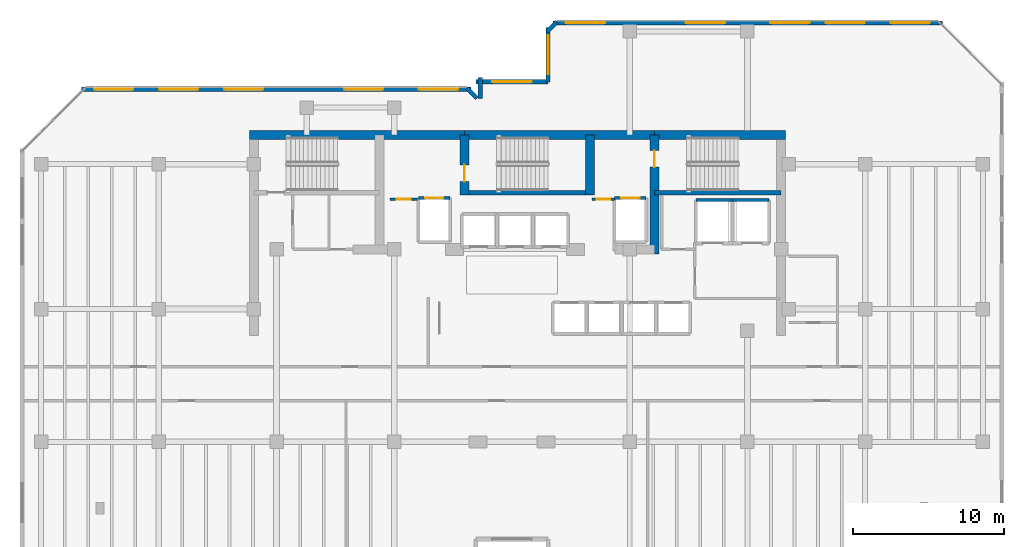
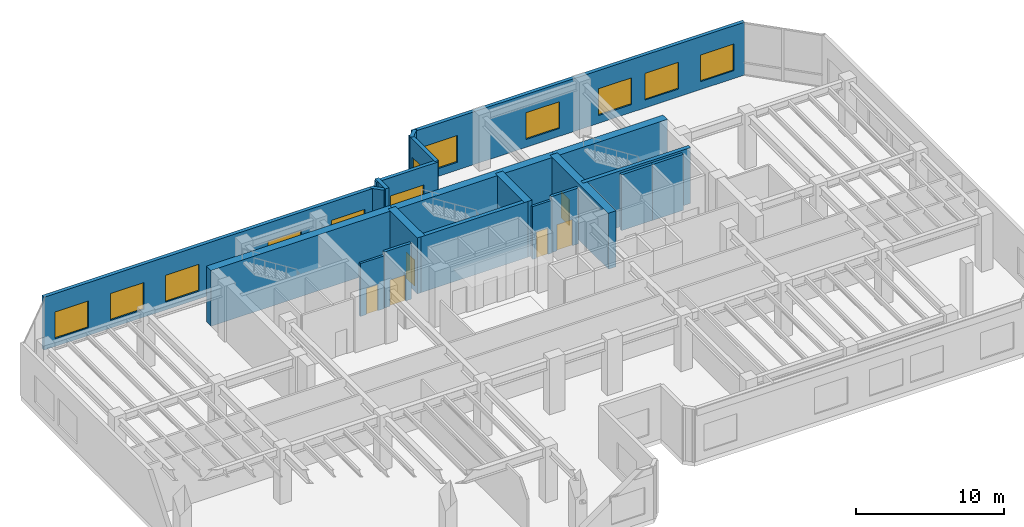
# One storey, part 16 of 20: 21 walls, 12 windows, 6 doors, 18 openings.
"""IFC4 building model written with IfcOpenShell, lengths in metres."""

from ifc_helpers import new_model, si_unit, direction, frame, frame_2d, origin, place, context, subcontext, project, spatial, rectangle, extrude, material, layer, layer_set, type_object, element, fill, save


model = new_model("IFC4")

# Units and contexts
model_context = context("Model", 3, precision=1e-05, world=origin(), true_north=direction((0.0, 1.0)))
body_context = subcontext(model_context, "Body", "Model", "MODEL_VIEW")
ifc_project = project(units=[si_unit("LENGTHUNIT", "METRE"), si_unit("AREAUNIT", "SQUARE_METRE"), si_unit("VOLUMEUNIT", "CUBIC_METRE"), si_unit("PLANEANGLEUNIT", "RADIAN"), si_unit("MASSUNIT", "GRAM", prefix="KILO")], contexts=[model_context])

# Site, building, storey
site_placement = place(None, origin())
site = spatial("IfcSite", under=ifc_project, at=site_placement, CompositionType="ELEMENT")
building_placement = place(site_placement, origin())
building = spatial("IfcBuilding", under=site, at=building_placement, Name="Kestravale Grand Hotel", CompositionType="ELEMENT")
storey_placement = place(building_placement, frame((0.0, 0.0, 231.89990234375)))
storey = spatial("IfcBuildingStorey", under=building, at=storey_placement, Name="L58", CompositionType="ELEMENT", Elevation=231.89990234375)

# Walls
ifc_material_1 = material(Name="Concrete f'c 50 MPa", Category="concrete")
ifc_layer_1 = layer(ifc_material_1, 0.60009765625)
ifc_layer_set_1 = layer_set([ifc_layer_1], Name="EW-CORE-600")
wall_type_1 = type_object("IfcWallType", Name="EW-CORE-600", PredefinedType="SHEAR", material=ifc_layer_set_1)
wall_1_placement = place(storey_placement, frame((21.60009765625, 40.320068359375, 0.0), z_axis=(0.0, 0.0, 1.0), x_axis=(1.0, 0.0, 0.0)))
element("IfcWall", 1, at=wall_1_placement, inside=storey, type_object=wall_type_1, Name="L58 core shear wall N1", PredefinedType="SHEAR", context=body_context, shape_type="SweptSolid", body=[
    extrude(rectangle(XDim=14.25, YDim=0.60009765625, at=frame_2d((7.125, 0.0))), origin(), (0.0, 0.0, 1.0), 4.60009765625),
])
wall_2_placement = place(storey_placement, frame((35.85009765625, 40.320068359375, 0.0), z_axis=(0.0, 0.0, 1.0), x_axis=(1.0, 0.0, 0.0)))
element("IfcWall", 2, at=wall_2_placement, inside=storey, type_object=wall_type_1, Name="L58 core shear wall N2", PredefinedType="SHEAR", context=body_context, shape_type="SweptSolid", body=[
    extrude(rectangle(XDim=12.599853515625, YDim=0.60009765625, at=frame_2d((6.2998046875, 0.0))), origin(), (0.0, 0.0, 1.0), 4.60009765625),
])
wall_3_placement = place(storey_placement, frame((48.449951171875, 40.320068359375, 0.0), z_axis=(0.0, 0.0, 1.0), x_axis=(1.0, 0.0, 0.0)))
element("IfcWall", 3, at=wall_3_placement, inside=storey, type_object=wall_type_1, Name="L58 core shear wall N3", PredefinedType="SHEAR", context=body_context, shape_type="SweptSolid", body=[
    extrude(rectangle(XDim=8.670166015625, YDim=0.60009765625, at=frame_2d((4.3349609375, 0.0))), origin(), (0.0, 0.0, 1.0), 4.60009765625),
])

# Wall, opening, door
wall_4_placement = place(storey_placement, frame((35.85009765625, 36.3701171875, 0.0), z_axis=(0.0, 0.0, 1.0), x_axis=(0.0, 1.0, 0.0)))
wall_4 = element("IfcWall", 4, at=wall_4_placement, inside=storey, type_object=wall_type_1, Name="L58 core shear wall X2", PredefinedType="SHEAR", context=body_context, shape_type="SweptSolid", body=[
    extrude(rectangle(XDim=3.949951171875, YDim=0.60009765625, at=frame_2d((1.97509765625, 0.0))), origin(), (0.0, 0.0, 1.0), 4.60009765625),
])
opening_1_placement = place(wall_4_placement, frame((0.8798828125, 0.0, 0.0)))
opening_1 = element("IfcOpeningElement", 5, at=opening_1_placement, cuts=wall_4, Name="Opening D-ST-1100", PredefinedType="OPENING", context=body_context, shape_type="SweptSolid", body=[
    extrude(rectangle(XDim=1.10009765625, YDim=2.14990234375, at=frame_2d((0.550048828125, 1.074951171875))), frame((0.0, 0.31005859375, 0.0), z_axis=(0.0, -1.0, 0.0), x_axis=(1.0, 0.0, 0.0)), (0.0, 0.0, 1.0), 0.6201171875),
])
ifc_material_2 = material(Name="Galvanised 90-minute fire-rated steel stair door", Category="steel")
door_type_1 = type_object("IfcDoorType", Name="D-ST-1100", OperationType="NOTDEFINED", PredefinedType="DOOR", material=ifc_material_2)
door_1_placement = place(opening_1_placement, origin())
door_1 = element("IfcDoor", 6, at=door_1_placement, inside=storey, type_object=door_type_1, Name="L58 Stair ST-2 FSAE fire door", OperationType="SINGLE_SWING_RIGHT", OverallHeight=2.14990234375, OverallWidth=1.10009765625, PredefinedType="DOOR", context=body_context, shape_type="SweptSolid", body=[
    extrude(rectangle(XDim=1.10009765625, YDim=2.14990234375, at=frame_2d((0.550048828125, 1.074951171875))), frame((0.0, 0.02490234375, 0.0), z_axis=(0.0, -1.0, 0.0), x_axis=(1.0, 0.0, 0.0)), (0.0, 0.0, 1.0), 0.050048828125),
])
fill(opening_1, door_1)

# Wall
wall_5_placement = place(storey_placement, frame((44.179931640625, 36.3701171875, 0.0), z_axis=(0.0, 0.0, 1.0), x_axis=(0.0, 1.0, 0.0)))
element("IfcWall", 7, at=wall_5_placement, inside=storey, type_object=wall_type_1, Name="L58 core shear wall X3", PredefinedType="SHEAR", context=body_context, shape_type="SweptSolid", body=[
    extrude(rectangle(XDim=3.949951171875, YDim=0.60009765625, at=frame_2d((1.97509765625, 0.0))), origin(), (0.0, 0.0, 1.0), 4.60009765625),
])

# Wall, opening, door
wall_6_placement = place(storey_placement, frame((48.449951171875, 32.449951171875, 0.0), z_axis=(0.0, 0.0, 1.0), x_axis=(0.0, 1.0, 0.0)))
wall_6 = element("IfcWall", 8, at=wall_6_placement, inside=storey, type_object=wall_type_1, Name="L58 core shear wall X4", PredefinedType="SHEAR", context=body_context, shape_type="SweptSolid", body=[
    extrude(rectangle(XDim=7.8701171875, YDim=0.60009765625, at=frame_2d((3.93505859375, 0.0))), origin(), (0.0, 0.0, 1.0), 4.60009765625),
])
opening_2_placement = place(wall_6_placement, frame((5.75, 0.0, 0.0)))
opening_2 = element("IfcOpeningElement", 9, at=opening_2_placement, cuts=wall_6, Name="Opening D-ST-1100", PredefinedType="OPENING", context=body_context, shape_type="SweptSolid", body=[
    extrude(rectangle(XDim=1.10009765625, YDim=2.14990234375, at=frame_2d((0.550048828125, 1.074951171875))), frame((0.0, 0.31005859375, 0.0), z_axis=(0.0, -1.0, 0.0), x_axis=(1.0, 0.0, 0.0)), (0.0, 0.0, 1.0), 0.6201171875),
])
door_2_placement = place(opening_2_placement, origin())
door_2 = element("IfcDoor", 10, at=door_2_placement, inside=storey, type_object=door_type_1, Name="L58 Stair ST-3 FSAE fire door", OperationType="SINGLE_SWING_RIGHT", OverallHeight=2.14990234375, OverallWidth=1.10009765625, PredefinedType="DOOR", context=body_context, shape_type="SweptSolid", body=[
    extrude(rectangle(XDim=1.10009765625, YDim=2.14990234375, at=frame_2d((0.550048828125, 1.074951171875))), frame((0.0, 0.02490234375, 0.0), z_axis=(0.0, -1.0, 0.0), x_axis=(1.0, 0.0, 0.0)), (0.0, 0.0, 1.0), 0.050048828125),
])
fill(opening_2, door_2)

# Wall, openings, windows
ifc_material_3 = material(Name="Precast concrete f'c 45 MPa", Category="concrete")
ifc_layer_2 = layer(ifc_material_3, 0.280029296875)
ifc_layer_set_2 = layer_set([ifc_layer_2], Name="EW-PREC-280")
wall_type_2 = type_object("IfcWallType", Name="EW-PREC-280", PredefinedType="SOLIDWALL", material=ifc_layer_set_2)
wall_7_placement = place(storey_placement, frame((67.5400390625, 47.760009765625, 0.0), z_axis=(0.0, 0.0, 1.0), x_axis=(-1.0, 0.0, 0.0)))
wall_7 = element("IfcWall", 11, at=wall_7_placement, inside=storey, type_object=wall_type_2, Name="L58 fluted precast facade wall 11", PredefinedType="SOLIDWALL", context=body_context, shape_type="SweptSolid", body=[
    extrude(rectangle(XDim=25.830078125, YDim=0.280029296875, at=frame_2d((12.9150390625, 0.0))), origin(), (0.0, 0.0, 1.0), 4.35009765625),
])
opening_3_placement = place(wall_7_placement, frame((0.8525390625, 0.0, 0.64990234375)))
opening_3 = element("IfcOpeningElement", 12, at=opening_3_placement, cuts=wall_7, Name="Opening W-SKY-2600", PredefinedType="OPENING", context=body_context, shape_type="SweptSolid", body=[
    extrude(rectangle(XDim=2.60009765625, YDim=2.199951171875, at=frame_2d((1.300048828125, 1.10009765625))), frame((0.0, 0.14990234375, 0.0), z_axis=(0.0, -1.0, 0.0), x_axis=(1.0, 0.0, 0.0)), (0.0, 0.0, 1.0), 0.300048828125),
])
opening_4_placement = place(wall_7_placement, frame((5.157470703125, 0.0, 0.64990234375)))
opening_4 = element("IfcOpeningElement", 13, at=opening_4_placement, cuts=wall_7, Name="Opening W-SKY-2600", PredefinedType="OPENING", context=body_context, shape_type="SweptSolid", body=[
    extrude(rectangle(XDim=2.60009765625, YDim=2.199951171875, at=frame_2d((1.300048828125, 1.10009765625))), frame((0.0, 0.14990234375, 0.0), z_axis=(0.0, -1.0, 0.0), x_axis=(1.0, 0.0, 0.0)), (0.0, 0.0, 1.0), 0.300048828125),
])
opening_5_placement = place(wall_7_placement, frame((8.8125, 0.0, 0.64990234375)))
opening_5 = element("IfcOpeningElement", 14, at=opening_5_placement, cuts=wall_7, Name="Opening W-SKY-2600", PredefinedType="OPENING", context=body_context, shape_type="SweptSolid", body=[
    extrude(rectangle(XDim=2.60009765625, YDim=2.199951171875, at=frame_2d((1.300048828125, 1.10009765625))), frame((0.0, 0.14990234375, 0.0), z_axis=(0.0, -1.0, 0.0), x_axis=(1.0, 0.0, 0.0)), (0.0, 0.0, 1.0), 0.300048828125),
])
opening_6_placement = place(wall_7_placement, frame((14.41748046875, 0.0, 0.64990234375)))
opening_6 = element("IfcOpeningElement", 15, at=opening_6_placement, cuts=wall_7, Name="Opening W-SKY-2600", PredefinedType="OPENING", context=body_context, shape_type="SweptSolid", body=[
    extrude(rectangle(XDim=2.60009765625, YDim=2.199951171875, at=frame_2d((1.300048828125, 1.10009765625))), frame((0.0, 0.14990234375, 0.0), z_axis=(0.0, -1.0, 0.0), x_axis=(1.0, 0.0, 0.0)), (0.0, 0.0, 1.0), 0.300048828125),
])
opening_7_placement = place(wall_7_placement, frame((22.37744140625, 0.0, 0.64990234375)))
opening_7 = element("IfcOpeningElement", 16, at=opening_7_placement, cuts=wall_7, Name="Opening W-SKY-2600", PredefinedType="OPENING", context=body_context, shape_type="SweptSolid", body=[
    extrude(rectangle(XDim=2.60009765625, YDim=2.199951171875, at=frame_2d((1.300048828125, 1.10009765625))), frame((0.0, 0.14990234375, 0.0), z_axis=(0.0, -1.0, 0.0), x_axis=(1.0, 0.0, 0.0)), (0.0, 0.0, 1.0), 0.300048828125),
])
ifc_material_4 = material(Name="Insulated low-E double glazing in aluminium frame", Category="aluminium")
window_type = type_object("IfcWindowType", Name="W-SKY-2600", PartitioningType="TRIPLE_PANEL_VERTICAL", PredefinedType="WINDOW", material=ifc_material_4)
window_1_placement = place(opening_3_placement, origin())
window_1 = element("IfcWindow", 17, at=window_1_placement, inside=storey, type_object=window_type, Name="L58 exterior window 11.1", OverallHeight=2.199951171875, OverallWidth=2.60009765625, PartitioningType="SINGLE_PANEL", PredefinedType="WINDOW", context=body_context, shape_type="SweptSolid", body=[
    extrude(rectangle(XDim=2.60009765625, YDim=2.199951171875, at=frame_2d((1.300048828125, 1.10009765625))), frame((0.0, 0.030029296875, 0.0), z_axis=(0.0, -1.0, 0.0), x_axis=(1.0, 0.0, 0.0)), (0.0, 0.0, 1.0), 0.06005859375),
])
fill(opening_3, window_1)
window_2_placement = place(opening_4_placement, origin())
window_2 = element("IfcWindow", 18, at=window_2_placement, inside=storey, type_object=window_type, Name="L58 exterior window 11.2", OverallHeight=2.199951171875, OverallWidth=2.60009765625, PartitioningType="SINGLE_PANEL", PredefinedType="WINDOW", context=body_context, shape_type="SweptSolid", body=[
    extrude(rectangle(XDim=2.60009765625, YDim=2.199951171875, at=frame_2d((1.300048828125, 1.10009765625))), frame((0.0, 0.030029296875, 0.0), z_axis=(0.0, -1.0, 0.0), x_axis=(1.0, 0.0, 0.0)), (0.0, 0.0, 1.0), 0.06005859375),
])
fill(opening_4, window_2)
window_3_placement = place(opening_5_placement, origin())
window_3 = element("IfcWindow", 19, at=window_3_placement, inside=storey, type_object=window_type, Name="L58 exterior window 11.3", OverallHeight=2.199951171875, OverallWidth=2.60009765625, PartitioningType="SINGLE_PANEL", PredefinedType="WINDOW", context=body_context, shape_type="SweptSolid", body=[
    extrude(rectangle(XDim=2.60009765625, YDim=2.199951171875, at=frame_2d((1.300048828125, 1.10009765625))), frame((0.0, 0.030029296875, 0.0), z_axis=(0.0, -1.0, 0.0), x_axis=(1.0, 0.0, 0.0)), (0.0, 0.0, 1.0), 0.06005859375),
])
fill(opening_5, window_3)
window_4_placement = place(opening_6_placement, origin())
window_4 = element("IfcWindow", 20, at=window_4_placement, inside=storey, type_object=window_type, Name="L58 exterior window 11.4", OverallHeight=2.199951171875, OverallWidth=2.60009765625, PartitioningType="SINGLE_PANEL", PredefinedType="WINDOW", context=body_context, shape_type="SweptSolid", body=[
    extrude(rectangle(XDim=2.60009765625, YDim=2.199951171875, at=frame_2d((1.300048828125, 1.10009765625))), frame((0.0, 0.030029296875, 0.0), z_axis=(0.0, -1.0, 0.0), x_axis=(1.0, 0.0, 0.0)), (0.0, 0.0, 1.0), 0.06005859375),
])
fill(opening_6, window_4)
window_5_placement = place(opening_7_placement, origin())
window_5 = element("IfcWindow", 21, at=window_5_placement, inside=storey, type_object=window_type, Name="L58 exterior window 11.5", OverallHeight=2.199951171875, OverallWidth=2.60009765625, PartitioningType="SINGLE_PANEL", PredefinedType="WINDOW", context=body_context, shape_type="SweptSolid", body=[
    extrude(rectangle(XDim=2.60009765625, YDim=2.199951171875, at=frame_2d((1.300048828125, 1.10009765625))), frame((0.0, 0.030029296875, 0.0), z_axis=(0.0, -1.0, 0.0), x_axis=(1.0, 0.0, 0.0)), (0.0, 0.0, 1.0), 0.06005859375),
])
fill(opening_7, window_5)

# Wall
wall_8_placement = place(storey_placement, frame((41.977294921875, 47.829345703125, 0.0), z_axis=(0.0, 0.0, 1.0), x_axis=(-0.706975312048, -0.707238225886, 0.0)))
element("IfcWall", 22, at=wall_8_placement, inside=storey, type_object=wall_type_2, Name="L58 fluted precast facade wall 12", PredefinedType="SOLIDWALL", context=body_context, shape_type="SweptSolid", body=[
    extrude(rectangle(XDim=0.9287109375, YDim=0.280029296875, at=frame_2d((0.46435546875, 0.0))), origin(), (0.0, 0.0, 1.0), 4.35009765625),
])

# Wall, opening, window
wall_9_placement = place(storey_placement, frame((41.389892578125, 47.43994140625, 0.0), z_axis=(0.0, 0.0, 1.0), x_axis=(0.0, -1.0, 0.0)))
wall_9 = element("IfcWall", 23, at=wall_9_placement, inside=storey, type_object=wall_type_2, Name="L58 fluted precast facade wall 13", PredefinedType="SOLIDWALL", context=body_context, shape_type="SweptSolid", body=[
    extrude(rectangle(XDim=3.579833984375, YDim=0.280029296875, at=frame_2d((1.7900390625, 0.0))), origin(), (0.0, 0.0, 1.0), 4.35009765625),
])
opening_8_placement = place(wall_9_placement, frame((0.489990234375, 0.0, 0.64990234375)))
opening_8 = element("IfcOpeningElement", 24, at=opening_8_placement, cuts=wall_9, Name="Opening W-SKY-2600", PredefinedType="OPENING", context=body_context, shape_type="SweptSolid", body=[
    extrude(rectangle(XDim=2.60009765625, YDim=2.199951171875, at=frame_2d((1.300048828125, 1.10009765625))), frame((0.0, 0.14990234375, 0.0), z_axis=(0.0, -1.0, 0.0), x_axis=(1.0, 0.0, 0.0)), (0.0, 0.0, 1.0), 0.300048828125),
])
window_6_placement = place(opening_8_placement, origin())
window_6 = element("IfcWindow", 25, at=window_6_placement, inside=storey, type_object=window_type, Name="L58 exterior window 13.1", OverallHeight=2.199951171875, OverallWidth=2.60009765625, PartitioningType="SINGLE_PANEL", PredefinedType="WINDOW", context=body_context, shape_type="SweptSolid", body=[
    extrude(rectangle(XDim=2.60009765625, YDim=2.199951171875, at=frame_2d((1.300048828125, 1.10009765625))), frame((0.0, 0.030029296875, 0.0), z_axis=(0.0, -1.0, 0.0), x_axis=(1.0, 0.0, 0.0)), (0.0, 0.0, 1.0), 0.06005859375),
])
fill(opening_8, window_6)

wall_10_placement = place(storey_placement, frame((41.389892578125, 43.860107421875, 0.0), z_axis=(0.0, 0.0, 1.0), x_axis=(-1.0, 0.0, 0.0)))
wall_10 = element("IfcWall", 26, at=wall_10_placement, inside=storey, type_object=wall_type_2, Name="L58 fluted precast facade wall 14", PredefinedType="SOLIDWALL", context=body_context, shape_type="SweptSolid", body=[
    extrude(rectangle(XDim=4.77978515625, YDim=0.280029296875, at=frame_2d((2.389892578125, 0.0))), origin(), (0.0, 0.0, 1.0), 4.35009765625),
])
opening_9_placement = place(wall_10_placement, frame((1.090087890625, 0.0, 0.64990234375)))
opening_9 = element("IfcOpeningElement", 27, at=opening_9_placement, cuts=wall_10, Name="Opening W-SKY-2600", PredefinedType="OPENING", context=body_context, shape_type="SweptSolid", body=[
    extrude(rectangle(XDim=2.60009765625, YDim=2.199951171875, at=frame_2d((1.300048828125, 1.10009765625))), frame((0.0, 0.14990234375, 0.0), z_axis=(0.0, -1.0, 0.0), x_axis=(1.0, 0.0, 0.0)), (0.0, 0.0, 1.0), 0.300048828125),
])
window_7_placement = place(opening_9_placement, origin())
window_7 = element("IfcWindow", 28, at=window_7_placement, inside=storey, type_object=window_type, Name="L58 exterior window 14.1", OverallHeight=2.199951171875, OverallWidth=2.60009765625, PartitioningType="SINGLE_PANEL", PredefinedType="WINDOW", context=body_context, shape_type="SweptSolid", body=[
    extrude(rectangle(XDim=2.60009765625, YDim=2.199951171875, at=frame_2d((1.300048828125, 1.10009765625))), frame((0.0, 0.030029296875, 0.0), z_axis=(0.0, -1.0, 0.0), x_axis=(1.0, 0.0, 0.0)), (0.0, 0.0, 1.0), 0.06005859375),
])
fill(opening_9, window_7)

# Walls
wall_11_placement = place(storey_placement, frame((36.889892578125, 44.139892578125, 0.0), z_axis=(0.0, 0.0, 1.0), x_axis=(0.0, -1.0, 0.0)))
element("IfcWall", 29, at=wall_11_placement, inside=storey, type_object=wall_type_2, Name="L58 fluted precast facade wall 15", PredefinedType="SOLIDWALL", context=body_context, shape_type="SweptSolid", body=[
    extrude(rectangle(XDim=1.3798828125, YDim=0.280029296875, at=frame_2d((0.68994140625, 0.0))), origin(), (0.0, 0.0, 1.0), 4.35009765625),
])
wall_12_placement = place(storey_placement, frame((36.67919921875, 42.772705078125, 0.0), z_axis=(0.0, 0.0, 1.0), x_axis=(-0.707106781187, 0.707106781187, 0.0)))
element("IfcWall", 30, at=wall_12_placement, inside=storey, type_object=wall_type_2, Name="L58 fluted precast facade wall 16", PredefinedType="SOLIDWALL", context=body_context, shape_type="SweptSolid", body=[
    extrude(rectangle(XDim=0.928466796875, YDim=0.280029296875, at=frame_2d((0.46435546875, 0.0))), origin(), (0.0, 0.0, 1.0), 4.35009765625),
])

# Wall, openings, windows
wall_13_placement = place(storey_placement, frame((36.2900390625, 43.360107421875, 0.0), z_axis=(0.0, 0.0, 1.0), x_axis=(-1.0, 0.0, 0.0)))
wall_13 = element("IfcWall", 31, at=wall_13_placement, inside=storey, type_object=wall_type_2, Name="L58 fluted precast facade wall 17", PredefinedType="SOLIDWALL", context=body_context, shape_type="SweptSolid", body=[
    extrude(rectangle(XDim=25.830078125, YDim=0.280029296875, at=frame_2d((12.9150390625, 0.0))), origin(), (0.0, 0.0, 1.0), 4.35009765625),
])
opening_10_placement = place(wall_13_placement, frame((0.8525390625, 0.0, 0.64990234375)))
opening_10 = element("IfcOpeningElement", 32, at=opening_10_placement, cuts=wall_13, Name="Opening W-SKY-2600", PredefinedType="OPENING", context=body_context, shape_type="SweptSolid", body=[
    extrude(rectangle(XDim=2.60009765625, YDim=2.199951171875, at=frame_2d((1.300048828125, 1.10009765625))), frame((0.0, 0.14990234375, 0.0), z_axis=(0.0, -1.0, 0.0), x_axis=(1.0, 0.0, 0.0)), (0.0, 0.0, 1.0), 0.300048828125),
])
opening_11_placement = place(wall_13_placement, frame((5.8076171875, 0.0, 0.64990234375)))
opening_11 = element("IfcOpeningElement", 33, at=opening_11_placement, cuts=wall_13, Name="Opening W-SKY-2600", PredefinedType="OPENING", context=body_context, shape_type="SweptSolid", body=[
    extrude(rectangle(XDim=2.60009765625, YDim=2.199951171875, at=frame_2d((1.300048828125, 1.10009765625))), frame((0.0, 0.14990234375, 0.0), z_axis=(0.0, -1.0, 0.0), x_axis=(1.0, 0.0, 0.0)), (0.0, 0.0, 1.0), 0.300048828125),
])
opening_12_placement = place(wall_13_placement, frame((13.767578125, 0.0, 0.64990234375)))
opening_12 = element("IfcOpeningElement", 34, at=opening_12_placement, cuts=wall_13, Name="Opening W-SKY-2600", PredefinedType="OPENING", context=body_context, shape_type="SweptSolid", body=[
    extrude(rectangle(XDim=2.60009765625, YDim=2.199951171875, at=frame_2d((1.300048828125, 1.10009765625))), frame((0.0, 0.14990234375, 0.0), z_axis=(0.0, -1.0, 0.0), x_axis=(1.0, 0.0, 0.0)), (0.0, 0.0, 1.0), 0.300048828125),
])
opening_13_placement = place(wall_13_placement, frame((18.072509765625, 0.0, 0.64990234375)))
opening_13 = element("IfcOpeningElement", 35, at=opening_13_placement, cuts=wall_13, Name="Opening W-SKY-2600", PredefinedType="OPENING", context=body_context, shape_type="SweptSolid", body=[
    extrude(rectangle(XDim=2.60009765625, YDim=2.199951171875, at=frame_2d((1.300048828125, 1.10009765625))), frame((0.0, 0.14990234375, 0.0), z_axis=(0.0, -1.0, 0.0), x_axis=(1.0, 0.0, 0.0)), (0.0, 0.0, 1.0), 0.300048828125),
])
opening_14_placement = place(wall_13_placement, frame((22.37744140625, 0.0, 0.64990234375)))
opening_14 = element("IfcOpeningElement", 36, at=opening_14_placement, cuts=wall_13, Name="Opening W-SKY-2600", PredefinedType="OPENING", context=body_context, shape_type="SweptSolid", body=[
    extrude(rectangle(XDim=2.60009765625, YDim=2.199951171875, at=frame_2d((1.300048828125, 1.10009765625))), frame((0.0, 0.14990234375, 0.0), z_axis=(0.0, -1.0, 0.0), x_axis=(1.0, 0.0, 0.0)), (0.0, 0.0, 1.0), 0.300048828125),
])
window_8_placement = place(opening_10_placement, origin())
window_8 = element("IfcWindow", 37, at=window_8_placement, inside=storey, type_object=window_type, Name="L58 exterior window 17.1", OverallHeight=2.199951171875, OverallWidth=2.60009765625, PartitioningType="SINGLE_PANEL", PredefinedType="WINDOW", context=body_context, shape_type="SweptSolid", body=[
    extrude(rectangle(XDim=2.60009765625, YDim=2.199951171875, at=frame_2d((1.300048828125, 1.10009765625))), frame((0.0, 0.030029296875, 0.0), z_axis=(0.0, -1.0, 0.0), x_axis=(1.0, 0.0, 0.0)), (0.0, 0.0, 1.0), 0.06005859375),
])
fill(opening_10, window_8)
window_9_placement = place(opening_11_placement, origin())
window_9 = element("IfcWindow", 38, at=window_9_placement, inside=storey, type_object=window_type, Name="L58 exterior window 17.2", OverallHeight=2.199951171875, OverallWidth=2.60009765625, PartitioningType="SINGLE_PANEL", PredefinedType="WINDOW", context=body_context, shape_type="SweptSolid", body=[
    extrude(rectangle(XDim=2.60009765625, YDim=2.199951171875, at=frame_2d((1.300048828125, 1.10009765625))), frame((0.0, 0.030029296875, 0.0), z_axis=(0.0, -1.0, 0.0), x_axis=(1.0, 0.0, 0.0)), (0.0, 0.0, 1.0), 0.06005859375),
])
fill(opening_11, window_9)
window_10_placement = place(opening_12_placement, origin())
window_10 = element("IfcWindow", 39, at=window_10_placement, inside=storey, type_object=window_type, Name="L58 exterior window 17.3", OverallHeight=2.199951171875, OverallWidth=2.60009765625, PartitioningType="SINGLE_PANEL", PredefinedType="WINDOW", context=body_context, shape_type="SweptSolid", body=[
    extrude(rectangle(XDim=2.60009765625, YDim=2.199951171875, at=frame_2d((1.300048828125, 1.10009765625))), frame((0.0, 0.030029296875, 0.0), z_axis=(0.0, -1.0, 0.0), x_axis=(1.0, 0.0, 0.0)), (0.0, 0.0, 1.0), 0.06005859375),
])
fill(opening_12, window_10)
window_11_placement = place(opening_13_placement, origin())
window_11 = element("IfcWindow", 40, at=window_11_placement, inside=storey, type_object=window_type, Name="L58 exterior window 17.4", OverallHeight=2.199951171875, OverallWidth=2.60009765625, PartitioningType="SINGLE_PANEL", PredefinedType="WINDOW", context=body_context, shape_type="SweptSolid", body=[
    extrude(rectangle(XDim=2.60009765625, YDim=2.199951171875, at=frame_2d((1.300048828125, 1.10009765625))), frame((0.0, 0.030029296875, 0.0), z_axis=(0.0, -1.0, 0.0), x_axis=(1.0, 0.0, 0.0)), (0.0, 0.0, 1.0), 0.06005859375),
])
fill(opening_13, window_11)
window_12_placement = place(opening_14_placement, origin())
window_12 = element("IfcWindow", 41, at=window_12_placement, inside=storey, type_object=window_type, Name="L58 exterior window 17.5", OverallHeight=2.199951171875, OverallWidth=2.60009765625, PartitioningType="SINGLE_PANEL", PredefinedType="WINDOW", context=body_context, shape_type="SweptSolid", body=[
    extrude(rectangle(XDim=2.60009765625, YDim=2.199951171875, at=frame_2d((1.300048828125, 1.10009765625))), frame((0.0, 0.030029296875, 0.0), z_axis=(0.0, -1.0, 0.0), x_axis=(1.0, 0.0, 0.0)), (0.0, 0.0, 1.0), 0.06005859375),
])
fill(opening_14, window_12)

# Walls
ifc_material_5 = material(Name="Concrete f'c 45 MPa", Category="concrete")
ifc_layer_3 = layer(ifc_material_5, 0.300048828125)
ifc_layer_set_3 = layer_set([ifc_layer_3], Name="EW-STAIR-300")
wall_type_3 = type_object("IfcWallType", Name="EW-STAIR-300", PredefinedType="SHEAR", material=ifc_layer_set_3)
wall_14_placement = place(storey_placement, frame((35.85009765625, 36.52001953125, 0.0), z_axis=(0.0, 0.0, 1.0), x_axis=(1.0, 0.0, 0.0)))
element("IfcWall", 42, at=wall_14_placement, inside=storey, type_object=wall_type_3, Name="L58 stair enclosure shear wall SST2", PredefinedType="SHEAR", context=body_context, shape_type="SweptSolid", body=[
    extrude(rectangle(XDim=8.329833984375, YDim=0.300048828125, at=frame_2d((4.1650390625, 0.0))), origin(), (0.0, 0.0, 1.0), 4.60009765625),
])
wall_15_placement = place(storey_placement, frame((48.449951171875, 36.52001953125, 0.0), z_axis=(0.0, 0.0, 1.0), x_axis=(1.0, 0.0, 0.0)))
element("IfcWall", 43, at=wall_15_placement, inside=storey, type_object=wall_type_3, Name="L58 stair enclosure shear wall SST3", PredefinedType="SHEAR", context=body_context, shape_type="SweptSolid", body=[
    extrude(rectangle(XDim=8.3701171875, YDim=0.300048828125, at=frame_2d((4.18505859375, 0.0))), origin(), (0.0, 0.0, 1.0), 4.60009765625),
])

# Wall, opening, door
ifc_material_6 = material(Name="Fire-rated gypsum board on steel studs with mineral wool", Category="steel")
ifc_layer_4 = layer(ifc_material_6, 0.179931640625)
ifc_layer_set_4 = layer_set([ifc_layer_4], Name="IW-FSAE-180")
wall_type_4 = type_object("IfcWallType", Name="IW-FSAE-180", PredefinedType="PARTITIONING", material=ifc_layer_set_4)
wall_16_placement = place(storey_placement, frame((30.89990234375, 36.080078125, 0.0), z_axis=(0.0, 0.0, 1.0), x_axis=(1.0, 0.0, 0.0)))
wall_16 = element("IfcWall", 44, at=wall_16_placement, inside=storey, type_object=wall_type_4, Name="L58 FSAE Lobby 1 smoke barrier", PredefinedType="PARTITIONING", context=body_context, shape_type="SweptSolid", body=[
    extrude(rectangle(XDim=1.85009765625, YDim=0.179931640625, at=frame_2d((0.925048828125, 0.0))), origin(), (0.0, 0.0, 1.0), 4.35009765625),
])
opening_15_placement = place(wall_16_placement, frame((0.47998046875, 0.0, 0.0)))
opening_15 = element("IfcOpeningElement", 45, at=opening_15_placement, cuts=wall_16, Name="Opening D-FSAE-1000", PredefinedType="OPENING", context=body_context, shape_type="SweptSolid", body=[
    extrude(rectangle(XDim=0.89990234375, YDim=2.14990234375, at=frame_2d((0.449951171875, 1.074951171875))), frame((0.0, 0.099853515625, 0.0), z_axis=(0.0, -1.0, 0.0), x_axis=(1.0, 0.0, 0.0)), (0.0, 0.0, 1.0), 0.199951171875),
])
ifc_material_7 = material(Name="Smoke-gasketed FSAE lobby fire door", Category="steel")
door_type_2 = type_object("IfcDoorType", Name="D-FSAE-1000", OperationType="NOTDEFINED", PredefinedType="DOOR", material=ifc_material_7)
door_3_placement = place(opening_15_placement, origin())
door_3 = element("IfcDoor", 46, at=door_3_placement, inside=storey, type_object=door_type_2, Name="L58 FSAE Lobby 1 fire door", OperationType="SINGLE_SWING_RIGHT", OverallHeight=2.14990234375, OverallWidth=0.89990234375, PredefinedType="DOOR", context=body_context, shape_type="SweptSolid", body=[
    extrude(rectangle(XDim=0.89990234375, YDim=2.14990234375, at=frame_2d((0.449951171875, 1.074951171875))), frame((0.0, 0.02490234375, 0.0), z_axis=(0.0, -1.0, 0.0), x_axis=(1.0, 0.0, 0.0)), (0.0, 0.0, 1.0), 0.050048828125),
])
fill(opening_15, door_3)

wall_17_placement = place(storey_placement, frame((44.300048828125, 36.080078125, 0.0), z_axis=(0.0, 0.0, 1.0), x_axis=(1.0, 0.0, 0.0)))
wall_17 = element("IfcWall", 47, at=wall_17_placement, inside=storey, type_object=wall_type_4, Name="L58 FSAE Lobby 2 smoke barrier", PredefinedType="PARTITIONING", context=body_context, shape_type="SweptSolid", body=[
    extrude(rectangle(XDim=1.5, YDim=0.179931640625, at=frame_2d((0.75, 0.0))), origin(), (0.0, 0.0, 1.0), 4.35009765625),
])
opening_16_placement = place(wall_17_placement, frame((0.300048828125, 0.0, 0.0)))
opening_16 = element("IfcOpeningElement", 48, at=opening_16_placement, cuts=wall_17, Name="Opening D-FSAE-1000", PredefinedType="OPENING", context=body_context, shape_type="SweptSolid", body=[
    extrude(rectangle(XDim=0.89990234375, YDim=2.14990234375, at=frame_2d((0.449951171875, 1.074951171875))), frame((0.0, 0.099853515625, 0.0), z_axis=(0.0, -1.0, 0.0), x_axis=(1.0, 0.0, 0.0)), (0.0, 0.0, 1.0), 0.199951171875),
])
door_4_placement = place(opening_16_placement, origin())
door_4 = element("IfcDoor", 49, at=door_4_placement, inside=storey, type_object=door_type_2, Name="L58 FSAE Lobby 2 fire door", OperationType="SINGLE_SWING_LEFT", OverallHeight=2.14990234375, OverallWidth=0.89990234375, PredefinedType="DOOR", context=body_context, shape_type="SweptSolid", body=[
    extrude(rectangle(XDim=0.89990234375, YDim=2.14990234375, at=frame_2d((0.449951171875, 1.074951171875))), frame((0.0, 0.02490234375, 0.0), z_axis=(0.0, -1.0, 0.0), x_axis=(1.0, 0.0, 0.0)), (0.0, 0.0, 1.0), 0.050048828125),
])
fill(opening_16, door_4)

# Walls
ifc_material_8 = material(Name="Concrete f'c 45 MPa", Category="concrete")
ifc_layer_5 = layer(ifc_material_8, 0.219970703125)
ifc_layer_set_5 = layer_set([ifc_layer_5], Name="IW-SHAFT-220")
wall_type_5 = type_object("IfcWallType", Name="IW-SHAFT-220", PredefinedType="SHEAR", material=ifc_layer_set_5)
wall_18_placement = place(storey_placement, frame((51.179931640625, 36.030029296875, 0.0), z_axis=(0.0, 0.0, 1.0), x_axis=(1.0, 0.0, 0.0)))
element("IfcWall", 50, at=wall_18_placement, inside=storey, type_object=wall_type_5, Name="L58 SL-1 north shaft wall", PredefinedType="SHEAR", context=body_context, shape_type="SweptSolid", body=[
    extrude(rectangle(XDim=2.420166015625, YDim=0.219970703125, at=frame_2d((1.2099609375, 0.0))), origin(), (0.0, 0.0, 1.0), 4.60009765625),
])
wall_19_placement = place(storey_placement, frame((53.60009765625, 36.030029296875, 0.0), z_axis=(0.0, 0.0, 1.0), x_axis=(1.0, 0.0, 0.0)))
element("IfcWall", 51, at=wall_19_placement, inside=storey, type_object=wall_type_5, Name="L58 SL-2 north shaft wall", PredefinedType="SHEAR", context=body_context, shape_type="SweptSolid", body=[
    extrude(rectangle(XDim=2.419921875, YDim=0.219970703125, at=frame_2d((1.2099609375, 0.0))), origin(), (0.0, 0.0, 1.0), 4.60009765625),
])

# Wall, opening, door
wall_20_placement = place(storey_placement, frame((32.804931640625, 36.155029296875, 0.0), z_axis=(0.0, 0.0, 1.0), x_axis=(1.0, 0.0, 0.0)))
wall_20 = element("IfcWall", 52, at=wall_20_placement, inside=storey, type_object=wall_type_5, Name="L58 FL-1 north shaft wall", PredefinedType="SHEAR", context=body_context, shape_type="SweptSolid", body=[
    extrude(rectangle(XDim=2.090087890625, YDim=0.219970703125, at=frame_2d((1.044921875, 0.0))), origin(), (0.0, 0.0, 1.0), 4.60009765625),
])
opening_17_placement = place(wall_20_placement, frame((0.445068359375, 0.0, 0.0)))
opening_17 = element("IfcOpeningElement", 53, at=opening_17_placement, cuts=wall_20, Name="Opening LD-FSAE-1200", PredefinedType="OPENING", context=body_context, shape_type="SweptSolid", body=[
    extrude(rectangle(XDim=1.199951171875, YDim=2.14990234375, at=frame_2d((0.60009765625, 1.074951171875))), frame((0.0, 0.119873046875, 0.0), z_axis=(0.0, -1.0, 0.0), x_axis=(1.0, 0.0, 0.0)), (0.0, 0.0, 1.0), 0.239990234375),
])
ifc_material_9 = material(Name="Stainless fire-service sliding elevator landing door", Category="steel")
door_type_3 = type_object("IfcDoorType", Name="LD-FSAE-1200", OperationType="NOTDEFINED", PredefinedType="DOOR", material=ifc_material_9)
door_5_placement = place(opening_17_placement, origin())
door_5 = element("IfcDoor", 54, at=door_5_placement, inside=storey, type_object=door_type_3, Name="L58 FL-1 elevator landing sliding door", OperationType="DOUBLE_DOOR_SLIDING", OverallHeight=2.14990234375, OverallWidth=1.199951171875, PredefinedType="DOOR", context=body_context, shape_type="SweptSolid", body=[
    extrude(rectangle(XDim=1.199951171875, YDim=2.14990234375, at=frame_2d((0.60009765625, 1.074951171875))), frame((0.0, 0.02490234375, 0.0), z_axis=(0.0, -1.0, 0.0), x_axis=(1.0, 0.0, 0.0)), (0.0, 0.0, 1.0), 0.050048828125),
])
fill(opening_17, door_5)

wall_21_placement = place(storey_placement, frame((45.804931640625, 36.155029296875, 0.0), z_axis=(0.0, 0.0, 1.0), x_axis=(1.0, 0.0, 0.0)))
wall_21 = element("IfcWall", 55, at=wall_21_placement, inside=storey, type_object=wall_type_5, Name="L58 FL-2 north shaft wall", PredefinedType="SHEAR", context=body_context, shape_type="SweptSolid", body=[
    extrude(rectangle(XDim=2.090087890625, YDim=0.219970703125, at=frame_2d((1.044921875, 0.0))), origin(), (0.0, 0.0, 1.0), 4.60009765625),
])
opening_18_placement = place(wall_21_placement, frame((0.445068359375, 0.0, 0.0)))
opening_18 = element("IfcOpeningElement", 56, at=opening_18_placement, cuts=wall_21, Name="Opening LD-FSAE-1200", PredefinedType="OPENING", context=body_context, shape_type="SweptSolid", body=[
    extrude(rectangle(XDim=1.199951171875, YDim=2.14990234375, at=frame_2d((0.60009765625, 1.074951171875))), frame((0.0, 0.119873046875, 0.0), z_axis=(0.0, -1.0, 0.0), x_axis=(1.0, 0.0, 0.0)), (0.0, 0.0, 1.0), 0.239990234375),
])
door_6_placement = place(opening_18_placement, origin())
door_6 = element("IfcDoor", 57, at=door_6_placement, inside=storey, type_object=door_type_3, Name="L58 FL-2 elevator landing sliding door", OperationType="DOUBLE_DOOR_SLIDING", OverallHeight=2.14990234375, OverallWidth=1.199951171875, PredefinedType="DOOR", context=body_context, shape_type="SweptSolid", body=[
    extrude(rectangle(XDim=1.199951171875, YDim=2.14990234375, at=frame_2d((0.60009765625, 1.074951171875))), frame((0.0, 0.02490234375, 0.0), z_axis=(0.0, -1.0, 0.0), x_axis=(1.0, 0.0, 0.0)), (0.0, 0.0, 1.0), 0.050048828125),
])
fill(opening_18, door_6)

save(model, "model.ifc")
